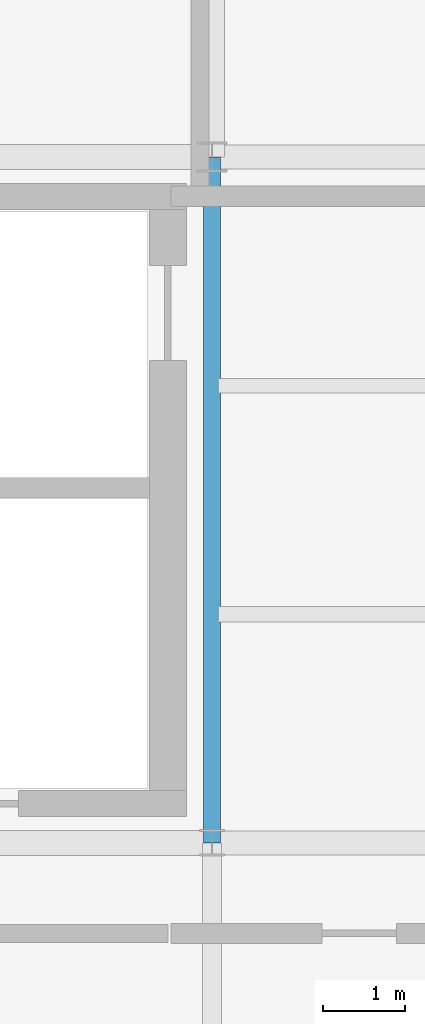
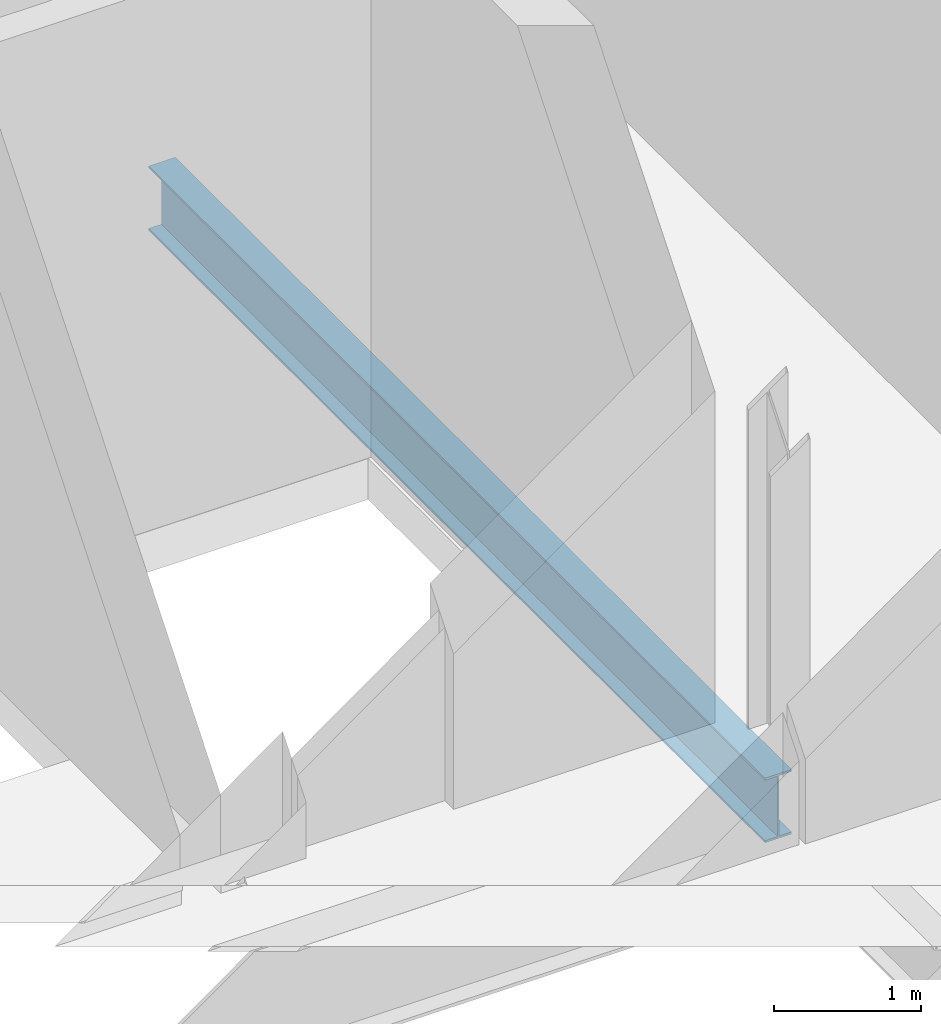
# One storey, part 14 of 86: 1 beam.
"""IFC4 building model written with IfcOpenShell, lengths in metres."""

from ifc_helpers import new_model, si_unit, direction, frame, origin_with_axes, origin_2d_with_axis, place, context, subcontext, project, spatial, i_section, extrude, material, material_profile, profile_set, type_object, element, save


model = new_model("IFC4")

# Units and contexts
model_context = context("Model", 3, precision=1e-05, world=origin_with_axes(), true_north=direction((0.0, 1.0)))
body_context = subcontext(model_context, "Body", "Model", "MODEL_VIEW")
ifc_project = project(units=[si_unit("LENGTHUNIT", "METRE"), si_unit("AREAUNIT", "SQUARE_METRE"), si_unit("VOLUMEUNIT", "CUBIC_METRE"), si_unit("PLANEANGLEUNIT", "RADIAN"), si_unit("MASSUNIT", "GRAM", prefix="KILO"), si_unit("THERMODYNAMICTEMPERATUREUNIT", "KELVIN")], contexts=[model_context])

# Site, building, storey
site_placement = place(None, origin_with_axes())
site = spatial("IfcSite", under=ifc_project, at=site_placement, CompositionType="ELEMENT")
building_placement = place(site_placement, origin_with_axes())
building = spatial("IfcBuilding", under=site, at=building_placement, Name="Montbau Bow Law Courts", CompositionType="ELEMENT")
storey_placement = place(building_placement, frame((0.0, 0.0, 29.7), z_axis=(0.0, 0.0, 1.0), x_axis=(1.0, 0.0, 0.0)))
storey = spatial("IfcBuildingStorey", under=building, at=storey_placement, Name="L06", CompositionType="ELEMENT", Elevation=29.7)

# Beam
ifc_material = material(Name="Steel CSA G40.21 Grade 350W (350 MPa)", Category="steel")
ifc_material_profile = material_profile(ifc_material, i_section(OverallWidth=0.21, OverallDepth=0.537, WebThickness=0.0109, FlangeThickness=0.0174, at=origin_2d_with_axis()), Name="W530X101", Category="Main", Priority=0)
ifc_profile_set = profile_set([ifc_material_profile], Name="Steel CSA G40.21 Grade 350W (350 MPa)")
beam_type = type_object("IfcBeamType", Name="B-FLR-06", PredefinedType="BEAM", material=ifc_profile_set)
beam_placement = place(None, frame((22.2, 46.2, 29.091), z_axis=(0.0, 1.0, 0.0), x_axis=(-1.0, 0.0, 0.0)))
element("IfcBeam", 1, at=beam_placement, inside=storey, type_object=beam_type, Name="BM-L06-S0700:bm2_0703", PredefinedType="BEAM", context=body_context, shape_type="SweptSolid", body=[
    extrude(i_section(OverallWidth=0.21, OverallDepth=0.537, WebThickness=0.0109, FlangeThickness=0.0174, at=origin_2d_with_axis()), origin_with_axes(), (0.0, 0.0, 1.0), 8.4),
])

save(model, "model.ifc")
